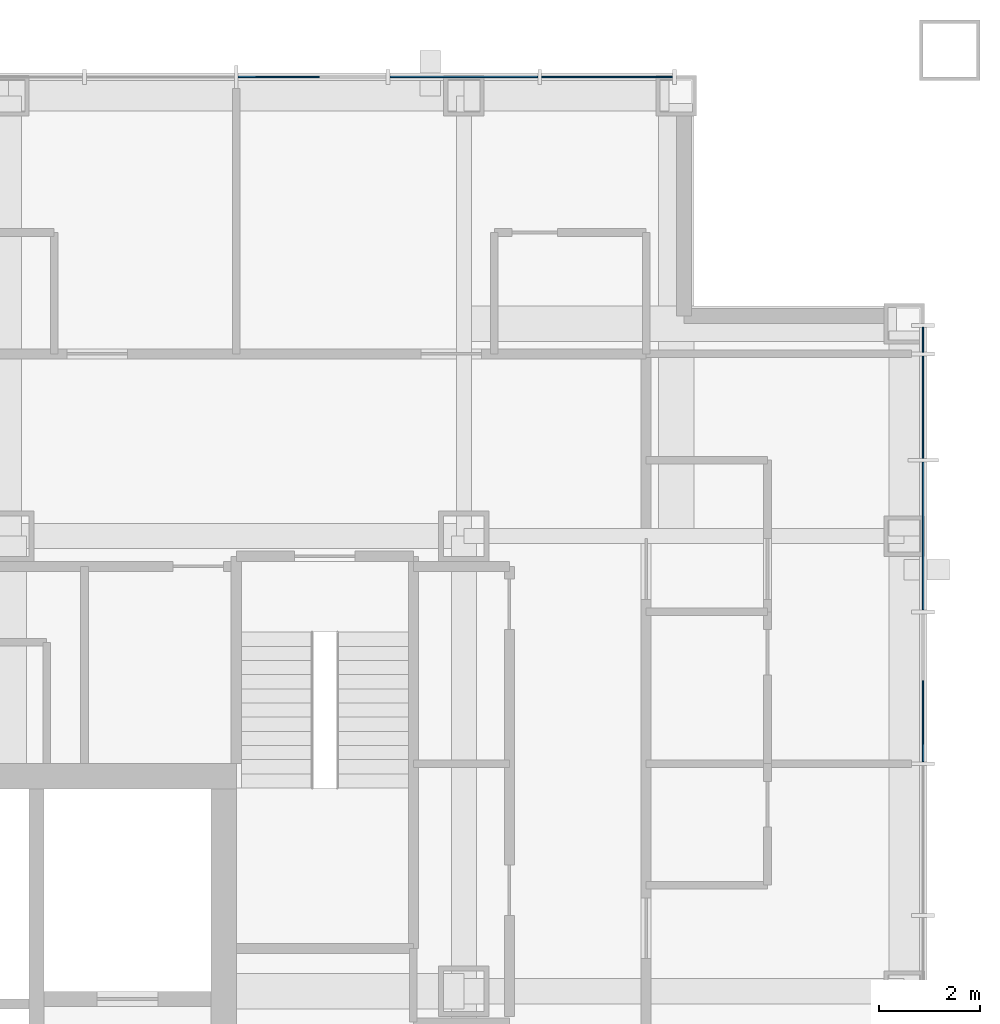
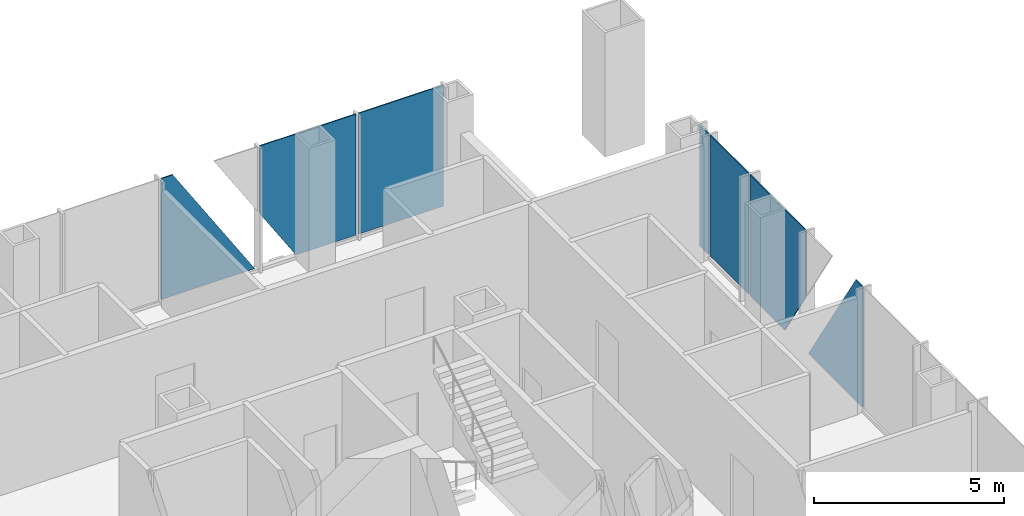
# One storey, part 11 of 18: 7 plates, 2 elements without a shape of their own.
"""IFC4 building model written with IfcOpenShell, lengths in metres."""

from ifc_helpers import new_model, si_unit, direction, frame, origin, origin_2d, place, context, subcontext, project, spatial, polyline, rectangle, outline, extrude, material, layer, layer_set, type_object, element, aggregate, save


model = new_model("IFC4")

# Units and contexts
model_context = context("Model", 3, precision=1e-05, world=origin(), true_north=direction((0.0, 1.0)))
body_context = subcontext(model_context, "Body", "Model", "MODEL_VIEW")
ifc_project = project(units=[si_unit("LENGTHUNIT", "METRE"), si_unit("AREAUNIT", "SQUARE_METRE"), si_unit("VOLUMEUNIT", "CUBIC_METRE"), si_unit("PLANEANGLEUNIT", "RADIAN"), si_unit("MASSUNIT", "GRAM", prefix="KILO")], contexts=[model_context])

# Site, building, storey
site_placement = place(None, origin())
site = spatial("IfcSite", under=ifc_project, at=site_placement, CompositionType="ELEMENT")
building_placement = place(site_placement, origin())
building = spatial("IfcBuilding", under=site, at=building_placement, Name="Malebo Sky Hospital", CompositionType="ELEMENT")
storey_placement = place(building_placement, frame((0.0, 0.0, 225.0)))
storey = spatial("IfcBuildingStorey", under=building, at=storey_placement, Name="L54", CompositionType="ELEMENT", Elevation=225.0)

# Curtain wall, plates
ifc_material_1 = material(Name="Anodised aluminium, natural silver", Category="aluminium")
ifc_layer_1 = layer(ifc_material_1, 0.25)
ifc_layer_set_1 = layer_set([ifc_layer_1], Name="WARD CURTAIN WALL NORTH AND SOUTH")
curtain_wall_type_1 = type_object("IfcCurtainWallType", Name="WARD CURTAIN WALL NORTH AND SOUTH", PredefinedType="NOTDEFINED", material=ifc_layer_set_1)
curtain_wall_1_placement = place(storey_placement, origin())
curtain_wall_1 = element("IfcCurtainWall", 1, at=curtain_wall_1_placement, inside=storey, type_object=curtain_wall_type_1, Name="NS curtain wall N", PredefinedType="NOTDEFINED")
ifc_material_2 = material(Name="Clear low-iron double glazing", Category="glass")
ifc_layer_2 = layer(ifc_material_2, 0.031982421875)
ifc_layer_set_2 = layer_set([ifc_layer_2], Name="VISION PANEL CLEAR 32")
plate_type = type_object("IfcPlateType", Name="VISION PANEL CLEAR 32", PredefinedType="CURTAIN_PANEL", material=ifc_layer_set_2)
plate_1_placement = place(storey_placement, frame((70.462890625, 84.574951171875, 0.10009765625), z_axis=(0.0, 0.0, 1.0), x_axis=(1.0, 0.0, 0.0)))
plate_1 = element("IfcPlate", 2, at=plate_1_placement, type_object=plate_type, Name="Panel 11", PredefinedType="CURTAIN_PANEL", context=body_context, shape_type="SweptSolid", body=[
    extrude(outline(polyline([(-1.42529296875, 0.0), (1.42529296875, 0.0), (-1.07080078125, 3.889892578125), (-1.42529296875, 3.889892578125), (-1.42529296875, 0.0)])), frame((0.0, 0.01611328125, 0.0), z_axis=(0.0, -1.0, 0.0), x_axis=(1.0, 0.0, 0.0)), (0.0, 0.0, 1.0), 0.031982421875),
])
plate_2_placement = place(storey_placement, frame((73.5, 84.574951171875, 0.10009765625), z_axis=(0.0, 0.0, 1.0), x_axis=(1.0, 0.0, 0.0)))
plate_2 = element("IfcPlate", 3, at=plate_2_placement, type_object=plate_type, Name="Panel 12", PredefinedType="CURTAIN_PANEL", context=body_context, shape_type="SweptSolid", body=[
    extrude(outline(polyline([(-0.363037109375, 0.0), (1.46240234375, 0.0), (1.46240234375, 3.889892578125), (-1.46240234375, 3.889892578125), (-1.46240234375, 1.71337890625), (-0.363037109375, 0.0)])), frame((0.0, 0.01611328125, 0.0), z_axis=(0.0, -1.0, 0.0), x_axis=(1.0, 0.0, 0.0)), (0.0, 0.0, 1.0), 0.031982421875),
])
plate_3_placement = place(storey_placement, frame((76.331298828125, 84.574951171875, 0.10009765625), z_axis=(0.0, 0.0, 1.0), x_axis=(1.0, 0.0, 0.0)))
plate_3 = element("IfcPlate", 4, at=plate_3_placement, type_object=plate_type, Name="Panel 13", PredefinedType="CURTAIN_PANEL", context=body_context, shape_type="SweptSolid", body=[
    extrude(rectangle(XDim=2.58740234375, YDim=0.031982421875, at=origin_2d()), origin(), (0.0, 0.0, 1.0), 3.889892578125),
])
aggregate(curtain_wall_1, [plate_1, plate_2, plate_3])

ifc_layer_3 = layer(ifc_material_1, 0.25)
ifc_layer_set_3 = layer_set([ifc_layer_3], Name="WARD CURTAIN WALL EAST AND WEST")
curtain_wall_type_2 = type_object("IfcCurtainWallType", Name="WARD CURTAIN WALL EAST AND WEST", PredefinedType="NOTDEFINED", material=ifc_layer_set_3)
curtain_wall_2_placement = place(storey_placement, origin())
curtain_wall_2 = element("IfcCurtainWall", 5, at=curtain_wall_2_placement, inside=storey, type_object=curtain_wall_type_2, Name="EW curtain wall E", PredefinedType="NOTDEFINED")
plate_4_placement = place(storey_placement, frame((82.574951171875, 79.38134765625, 0.10009765625), z_axis=(0.0, 0.0, 1.0), x_axis=(0.0, -1.0, 0.0)))
plate_4 = element("IfcPlate", 6, at=plate_4_placement, type_object=plate_type, Name="Panel 1", PredefinedType="CURTAIN_PANEL", context=body_context, shape_type="SweptSolid", body=[
    extrude(rectangle(XDim=0.487548828125, YDim=0.031982421875, at=origin_2d()), origin(), (0.0, 0.0, 1.0), 3.889892578125),
])
plate_5_placement = place(storey_placement, frame((82.574951171875, 78.050048828125, 0.10009765625), z_axis=(0.0, 0.0, 1.0), x_axis=(0.0, -1.0, 0.0)))
plate_5 = element("IfcPlate", 7, at=plate_5_placement, type_object=plate_type, Name="Panel 2", PredefinedType="CURTAIN_PANEL", context=body_context, shape_type="SweptSolid", body=[
    extrude(rectangle(XDim=2.02490234375, YDim=0.031982421875, at=origin_2d()), origin(), (0.0, 0.0, 1.0), 3.889892578125),
])
plate_6_placement = place(storey_placement, frame((82.574951171875, 75.5, 0.10009765625), z_axis=(0.0, 0.0, 1.0), x_axis=(0.0, -1.0, 0.0)))
plate_6 = element("IfcPlate", 8, at=plate_6_placement, type_object=plate_type, Name="Panel 3", PredefinedType="CURTAIN_PANEL", context=body_context, shape_type="SweptSolid", body=[
    extrude(outline(polyline([(-1.46240234375, 0.0), (0.363037109375, 0.0), (1.46240234375, 1.71337890625), (1.46240234375, 3.889892578125), (-1.46240234375, 3.889892578125), (-1.46240234375, 0.0)])), frame((0.0, 0.01611328125, 0.0), z_axis=(0.0, -1.0, 0.0), x_axis=(1.0, 0.0, 0.0)), (0.0, 0.0, 1.0), 0.031982421875),
])
plate_7_placement = place(storey_placement, frame((82.574951171875, 72.462890625, 0.10009765625), z_axis=(0.0, 0.0, 1.0), x_axis=(0.0, -1.0, 0.0)))
plate_7 = element("IfcPlate", 9, at=plate_7_placement, type_object=plate_type, Name="Panel 4", PredefinedType="CURTAIN_PANEL", context=body_context, shape_type="SweptSolid", body=[
    extrude(outline(polyline([(-1.42529296875, 0.0), (1.42529296875, 0.0), (1.42529296875, 3.889892578125), (1.07080078125, 3.889892578125), (-1.42529296875, 0.0)])), frame((0.0, 0.01611328125, 0.0), z_axis=(0.0, -1.0, 0.0), x_axis=(1.0, 0.0, 0.0)), (0.0, 0.0, 1.0), 0.031982421875),
])
aggregate(curtain_wall_2, [plate_4, plate_5, plate_6, plate_7])

save(model, "model.ifc")
